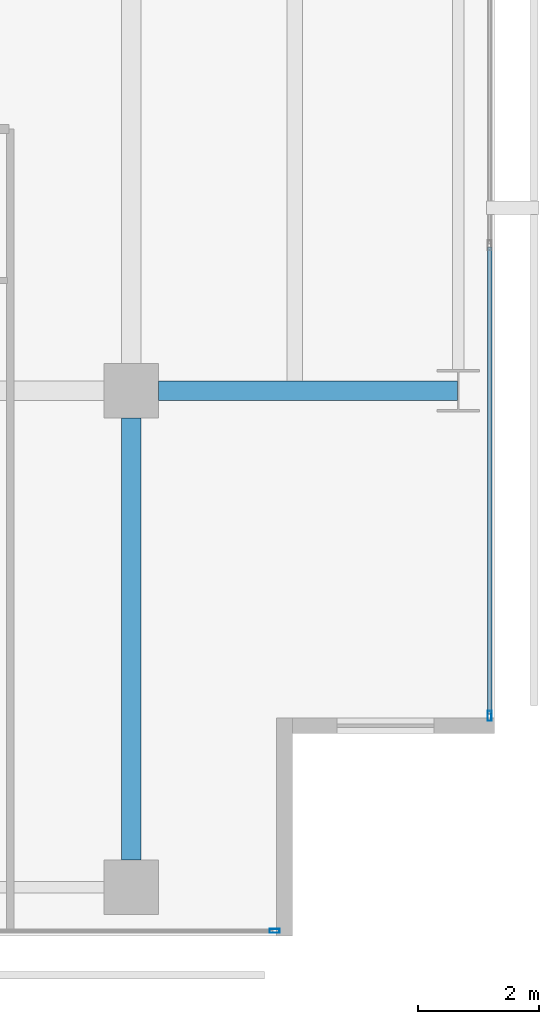
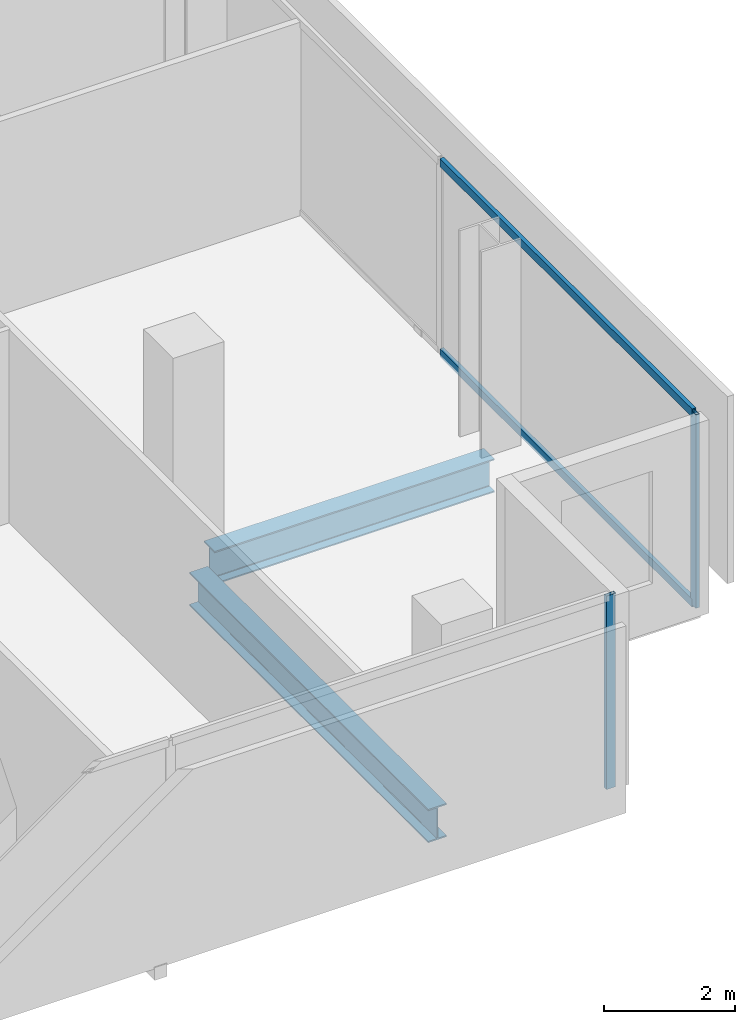
# One storey, part 16 of 40: 4 members, 2 beams, 2 elements without a shape of their own.
"""IFC4 building model written with IfcOpenShell, lengths in metres."""

import ifcopenshell
import ifcopenshell.guid

model = None  # the IFC model being written
_history = None  # IfcOwnerHistory: only IFC2X3 demands one
_inside = {}  # id of a spatial element -> (the spatial element, [elements in it])
_under = {}  # id of a project, library or spatial element -> (it, [spatial elements below it])
_declared = {}  # id of a project -> (the project, [libraries it declares])
_typed = {}  # id of a type object -> (the type object, [elements of that type])
_made_of = {}  # id of a material, layer set ... -> (it, [elements and type objects made of it])


def new_model(schema):
    """Start an empty IFC model of exactly this schema.

    Asked for "IFC4X3", IfcOpenShell would pick the latest addendum, in which some entities
    have other attributes; the version numbers below select the first issue.
    IFC2X3 requires an IfcOwnerHistory on every rooted entity: one is made here for all.
    """
    global model, _history
    if schema == "IFC4X3":
        model = ifcopenshell.file(schema_version=(4, 3, 0, 0))
    else:
        model = ifcopenshell.file(schema=schema)
    _inside.clear()
    _under.clear()
    _declared.clear()
    _typed.clear()
    _made_of.clear()
    _history = None
    if model.schema == "IFC2X3":
        org = make("IfcOrganization", Name="unknown")
        user = make(
            "IfcPersonAndOrganization",
            ThePerson=make("IfcPerson", FamilyName="unknown"),
            TheOrganization=org,
        )
        app = make(
            "IfcApplication",
            ApplicationDeveloper=org,
            Version="unknown",
            ApplicationFullName="unknown",
            ApplicationIdentifier="unknown",
        )
        _history = make(
            "IfcOwnerHistory",
            OwningUser=user,
            OwningApplication=app,
            ChangeAction="ADDED",
            CreationDate=0,
        )
    return model


def make(cls, **values):
    """One entity of the class cls with the attributes given. An attribute that is None is left unset."""
    return model.create_entity(
        cls, **{name: value for name, value in values.items() if value is not None}
    )


def rooted(cls, **values):
    """An entity with a GlobalId (a new one), such as an element, a storey or a relation."""
    return make(cls, GlobalId=ifcopenshell.guid.new(), OwnerHistory=_history, **values)


def si_unit(unit_type, name, prefix=None):
    """IfcSIUnit, for example si_unit("LENGTHUNIT", "METRE", prefix="MILLI")."""
    return make("IfcSIUnit", UnitType=unit_type, Prefix=prefix, Name=name)


def assignment(units):
    """IfcUnitAssignment: the units of a project."""
    return None if units is None else make("IfcUnitAssignment", Units=units)


def point(xyz):
    """IfcCartesianPoint."""
    return None if xyz is None else make("IfcCartesianPoint", Coordinates=xyz)


def direction(xyz):
    """IfcDirection."""
    return None if xyz is None else make("IfcDirection", DirectionRatios=xyz)


def frame(location, z_axis=None, x_axis=None):
    """IfcAxis2Placement3D, a coordinate frame: its origin and axes. An axis left out is left unset."""
    return make(
        "IfcAxis2Placement3D",
        Location=point(location),
        Axis=direction(z_axis),
        RefDirection=direction(x_axis),
    )


def frame_2d(location, x_axis=None):
    """IfcAxis2Placement2D, a coordinate frame in the plane: its origin and x axis."""
    return make(
        "IfcAxis2Placement2D", Location=point(location), RefDirection=direction(x_axis)
    )


def origin():
    """The frame at (0, 0, 0) with its axes left unset."""
    return frame((0.0, 0.0, 0.0))


def origin_2d():
    """The frame at (0, 0) in the plane with its x axis left unset."""
    return frame_2d((0.0, 0.0))


def place(relative_to, where):
    """IfcLocalPlacement: puts the frame where relative to a parent placement (None: the world)."""
    return make(
        "IfcLocalPlacement", PlacementRelTo=relative_to, RelativePlacement=where
    )


def context(
    kind, dimensions, precision=None, world=None, true_north=None, identifier=None
):
    """IfcGeometricRepresentationContext, for example the 3D "Model" context."""
    return make(
        "IfcGeometricRepresentationContext",
        ContextIdentifier=identifier,
        ContextType=kind,
        CoordinateSpaceDimension=dimensions,
        Precision=precision,
        WorldCoordinateSystem=world,
        TrueNorth=true_north,
    )


def subcontext(parent, identifier, kind, view, scale=None):
    """IfcGeometricRepresentationSubContext, for example "Body" below "Model"."""
    return make(
        "IfcGeometricRepresentationSubContext",
        ContextIdentifier=identifier,
        ContextType=kind,
        ParentContext=parent,
        TargetScale=scale,
        TargetView=view,
    )


def project(units=None, contexts=None):
    """IfcProject with its units and contexts."""
    return rooted(
        "IfcProject",
        Name="project",
        RepresentationContexts=contexts,
        UnitsInContext=assignment(units),
    )


def spatial(cls, under=None, at=None, **own):
    """A site, building, storey or space (cls), placed at a placement, below another one or the project."""
    s = rooted(cls, ObjectPlacement=at, **own)
    if under is not None:
        _under.setdefault(under.id(), (under, []))[1].append(s)
    return s


def profile(cls, at=None, kind="AREA", **sizes):
    """A parametric profile (cls). Its sizes go by their IFC names, for example OverallWidth=200.0."""
    return make(cls, ProfileType=kind, Position=at, **sizes)


def hollow_rectangle(**sizes):
    """IfcRectangleHollowProfileDef."""
    return profile("IfcRectangleHollowProfileDef", **sizes)


def i_section(**sizes):
    """IfcIShapeProfileDef."""
    return profile("IfcIShapeProfileDef", **sizes)


def extrude(swept, where, along, depth):
    """IfcExtrudedAreaSolid: the profile swept, set in the frame where, extruded along a direction by depth."""
    return make(
        "IfcExtrudedAreaSolid",
        SweptArea=swept,
        Position=where,
        ExtrudedDirection=direction(along),
        Depth=depth,
    )


def shape(context_of_items, identifier, shape_type, items):
    """IfcShapeRepresentation: the items that make up one representation, for example the "Body"."""
    return make(
        "IfcShapeRepresentation",
        ContextOfItems=context_of_items,
        RepresentationIdentifier=identifier,
        RepresentationType=shape_type,
        Items=items,
    )


def material(Name=None, Category=None):
    """IfcMaterial."""
    return make("IfcMaterial", Name=Name, Category=Category)


def layer(
    of_material, thickness, ventilated=None, Name=None, Category=None, Priority=None
):
    """IfcMaterialLayer: one layer of a wall or slab, of a material (None: an air gap)."""
    return make(
        "IfcMaterialLayer",
        Material=of_material,
        LayerThickness=thickness,
        IsVentilated=ventilated,
        Name=Name,
        Category=Category,
        Priority=Priority,
    )


def layer_set(layers, Name=None):
    """IfcMaterialLayerSet."""
    return make("IfcMaterialLayerSet", MaterialLayers=layers, LayerSetName=Name)


def material_profile(
    of_material, cross_section, Name=None, Category=None, Priority=None
):
    """IfcMaterialProfile: a cross section and its material."""
    return make(
        "IfcMaterialProfile",
        Name=Name,
        Material=of_material,
        Profile=cross_section,
        Priority=Priority,
        Category=Category,
    )


def profile_set(profiles, Name=None, composite=None):
    """IfcMaterialProfileSet."""
    return make(
        "IfcMaterialProfileSet",
        Name=Name,
        MaterialProfiles=profiles,
        CompositeProfile=composite,
    )


def made_of(thing, what):
    """Note that an element or type object is made of a material, layer set ...; save() writes the relation."""
    if what is not None:
        _made_of.setdefault(what.id(), (what, []))[1].append(thing)
    return thing


def type_object(cls, material=None, **own):
    """A type object (cls), such as IfcWallType, which elements share."""
    return made_of(rooted(cls, **own), material)


def element(
    cls,
    number,
    at=None,
    inside=None,
    cuts=None,
    type_object=None,
    material=None,
    context=None,
    identifier="Body",
    shape_type=None,
    held_by="IfcProductDefinitionShape",
    body=None,
    shapes=None,
    **own,
):
    """One element of the class cls, such as IfcWall. Its Tag is "e" and its number.

    at: its placement. inside: the storey or other place that contains it. cuts: it is an
    opening in that element (IfcRelVoidsElement). A single representation is given by context,
    identifier, shape_type and body (its items); several are given by shapes. held_by: the class
    of the entity that holds the representations. save() writes the other relations.
    """
    e = rooted(cls, Tag="e%d" % number, ObjectPlacement=at, **own)
    if body is not None:
        shapes = [shape(context, identifier, shape_type, body)]
    if shapes is not None:
        e.Representation = make(held_by, Representations=shapes)
    if inside is not None:
        _inside.setdefault(inside.id(), (inside, []))[1].append(e)
    if cuts is not None:
        rooted(
            "IfcRelVoidsElement", RelatingBuildingElement=cuts, RelatedOpeningElement=e
        )
    if type_object is not None:
        _typed.setdefault(type_object.id(), (type_object, []))[1].append(e)
    return made_of(e, material)


def aggregate(whole, parts):
    """IfcRelAggregates: a whole, such as a stair, and the parts it consists of."""
    return rooted("IfcRelAggregates", RelatingObject=whole, RelatedObjects=parts)


def save(model, path):
    """Write the relations noted so far, then the file.

    IfcRelAggregates (storeys below a building ...), IfcRelContainedInSpatialStructure (elements
    in a storey), IfcRelDefinesByType, IfcRelAssociatesMaterial and IfcRelDeclares: one each for
    every whole, place, type object, material and project.
    """
    for whole, parts in _under.values():
        aggregate(whole, parts)
    for where, things in _inside.values():
        rooted(
            "IfcRelContainedInSpatialStructure",
            RelatedElements=things,
            RelatingStructure=where,
        )
    for kind, things in _typed.values():
        rooted("IfcRelDefinesByType", RelatedObjects=things, RelatingType=kind)
    for what, things in _made_of.values():
        rooted("IfcRelAssociatesMaterial", RelatedObjects=things, RelatingMaterial=what)
    for by, libraries in _declared.values():
        rooted("IfcRelDeclares", RelatingContext=by, RelatedDefinitions=libraries)
    model.write(path)


model = new_model("IFC4")

# Units and contexts
model_context = context("Model", 3, precision=1e-05, world=origin(), true_north=direction((0.0, 1.0)))
body_context = subcontext(model_context, "Body", "Model", "MODEL_VIEW")
ifc_project = project(units=[si_unit("LENGTHUNIT", "METRE"), si_unit("AREAUNIT", "SQUARE_METRE"), si_unit("VOLUMEUNIT", "CUBIC_METRE"), si_unit("PLANEANGLEUNIT", "RADIAN"), si_unit("MASSUNIT", "GRAM", prefix="KILO")], contexts=[model_context])

# Site, building, storey
site_placement = place(None, origin())
site = spatial("IfcSite", under=ifc_project, at=site_placement, CompositionType="ELEMENT")
building_placement = place(site_placement, origin())
building = spatial("IfcBuilding", under=site, at=building_placement, Name="Maruvema Waterfront Hotel and Observation Tower", CompositionType="ELEMENT")
storey_placement = place(building_placement, frame((0.0, 0.0, 53.89990234375)))
storey = spatial("IfcBuildingStorey", under=building, at=storey_placement, Name="L12", CompositionType="ELEMENT", Elevation=53.89990234375)

# Curtain wall, members
ifc_material_1 = material(Name="Anodised bronze aluminium and solar-control low-E IGU", Category="aluminium")
ifc_layer = layer(ifc_material_1, 0.159912109375, Name="Zone 1 Bronze Inner Thermal Curtain Wall System CW-02")
ifc_layer_set = layer_set([ifc_layer], Name="Anodised bronze aluminium and solar-control low-E IGU")
curtain_wall_type = type_object("IfcCurtainWallType", Name="Zone 1 Bronze Inner Thermal Curtain Wall System CW-02", PredefinedType="USERDEFINED", material=ifc_layer_set)
curtain_wall_1_placement = place(storey_placement, origin())
curtain_wall_1 = element("IfcCurtainWall", 1, at=curtain_wall_1_placement, inside=storey, type_object=curtain_wall_type, Name="L12 Curtain Wall CW-L12-E", ObjectType="UNITISED CURTAIN WALL", PredefinedType="USERDEFINED")
ifc_material_2 = material(Name="Anodised architectural bronze aluminium", Category="aluminium")
ifc_material_profile_1 = material_profile(ifc_material_2, hollow_rectangle(XDim=0.070068359375, YDim=0.14990234375, WallThickness=0.00390625, at=origin_2d()), Name="ALU-T70x150")
ifc_profile_set_1 = profile_set([ifc_material_profile_1], Name="Anodised architectural bronze aluminium")
member_type_1 = type_object("IfcMemberType", Name="Curtain Wall Horizontal Transom ALU-T70x150", PredefinedType="USERDEFINED", material=ifc_profile_set_1)
member_1_placement = place(storey_placement, frame((64.719970703125, 3.659912109375, 0.030029296875), z_axis=(0.0, 1.0, 0.0), x_axis=(-1.0, 0.0, 0.0)))
member_1 = element("IfcMember", 2, at=member_1_placement, type_object=member_type_1, Name="CW-02 transom 1.1", ObjectType="TRANSOM", PredefinedType="USERDEFINED", context=body_context, shape_type="SweptSolid", body=[
    extrude(hollow_rectangle(XDim=0.070068359375, YDim=0.14990234375, WallThickness=0.00390625, at=origin_2d()), origin(), (0.0, 0.0, 1.0), 7.710205078125),
])
member_2_placement = place(storey_placement, frame((64.719970703125, 3.659912109375, 3.580078125), z_axis=(0.0, 1.0, 0.0), x_axis=(-1.0, 0.0, 0.0)))
member_2 = element("IfcMember", 3, at=member_2_placement, type_object=member_type_1, Name="CW-02 transom 1.2", ObjectType="TRANSOM", PredefinedType="USERDEFINED", context=body_context, shape_type="SweptSolid", body=[
    extrude(hollow_rectangle(XDim=0.070068359375, YDim=0.14990234375, WallThickness=0.00390625, at=origin_2d()), origin(), (0.0, 0.0, 1.0), 7.710205078125),
])

# Curtain wall, member
curtain_wall_2_placement = place(storey_placement, origin())
curtain_wall_2 = element("IfcCurtainWall", 4, at=curtain_wall_2_placement, inside=storey, type_object=curtain_wall_type, Name="L12 Curtain Wall CW-L12-S", ObjectType="UNITISED CURTAIN WALL", PredefinedType="USERDEFINED")
ifc_material_3 = material(Name="Anodised architectural bronze aluminium", Category="aluminium")
ifc_material_profile_2 = material_profile(ifc_material_3, hollow_rectangle(XDim=0.06494140625, YDim=0.1650390625, WallThickness=0.00390625, at=origin_2d()), Name="ALU-M65x165")
ifc_profile_set_2 = profile_set([ifc_material_profile_2], Name="Anodised architectural bronze aluminium")
member_type_2 = type_object("IfcMemberType", Name="Curtain Wall Primary Mullion ALU-M65x165", PredefinedType="MULLION", material=ifc_profile_set_2)
member_3_placement = place(storey_placement, frame((61.169921875, 0.080078125, 0.0), z_axis=(0.0, 0.0, 1.0), x_axis=(0.0, 1.0, 0.0)))
member_3 = element("IfcMember", 5, at=member_3_placement, type_object=member_type_2, Name="CW-02 mullion 7", PredefinedType="MULLION", context=body_context, shape_type="SweptSolid", body=[
    extrude(hollow_rectangle(XDim=0.06494140625, YDim=0.1650390625, WallThickness=0.00390625, at=origin_2d()), origin(), (0.0, 0.0, 1.0), 3.610107421875),
])
aggregate(curtain_wall_2, [member_3])

# Member
member_4_placement = place(storey_placement, frame((64.719970703125, 3.6298828125, 0.0), z_axis=(0.0, 0.0, 1.0), x_axis=(-1.0, 0.0, 0.0)))
member_4 = element("IfcMember", 6, at=member_4_placement, type_object=member_type_2, Name="CW-02 mullion 1", PredefinedType="MULLION", context=body_context, shape_type="SweptSolid", body=[
    extrude(hollow_rectangle(XDim=0.06494140625, YDim=0.1650390625, WallThickness=0.00390625, at=origin_2d()), origin(), (0.0, 0.0, 1.0), 3.610107421875),
])

aggregate(curtain_wall_1, [member_4, member_1, member_2])

# Beams
ifc_material_4 = material(Name="Steel ASTM A572 Grade 50", Category="steel")
ifc_material_profile_3 = material_profile(ifc_material_4, i_section(OverallWidth=0.326904296875, OverallDepth=0.6220703125, WebThickness=0.015380859375, FlangeThickness=0.0244140625, FilletRadius=0.01806640625, at=origin_2d()), Name="W610x195.0")
ifc_profile_set_3 = profile_set([ifc_material_profile_3], Name="Steel ASTM A572 Grade 50")
beam_type = type_object("IfcBeamType", Name="Primary Floor Girder W610x195.0", PredefinedType="BEAM", material=ifc_profile_set_3)
beam_1_placement = place(storey_placement, frame((59.25, 9.0, -0.55078125), z_axis=(1.0, 0.0, 0.0), x_axis=(0.0, 1.0, 0.0)))
element("IfcBeam", 7, at=beam_1_placement, inside=storey, type_object=beam_type, Name="L12 Floor Girder EW-12", PredefinedType="BEAM", context=body_context, shape_type="SweptSolid", body=[
    extrude(i_section(OverallWidth=0.326904296875, OverallDepth=0.6220703125, WebThickness=0.015380859375, FlangeThickness=0.0244140625, FilletRadius=0.01806640625, at=origin_2d()), origin(), (0.0, 0.0, 1.0), 4.93603515625),
])
beam_2_placement = place(storey_placement, frame((58.800048828125, 1.25, -0.55078125), z_axis=(0.0, 1.0, 0.0), x_axis=(-1.0, 0.0, 0.0)))
element("IfcBeam", 8, at=beam_2_placement, inside=storey, type_object=beam_type, Name="L12 Floor Girder NS-27", PredefinedType="BEAM", context=body_context, shape_type="SweptSolid", body=[
    extrude(i_section(OverallWidth=0.326904296875, OverallDepth=0.6220703125, WebThickness=0.015380859375, FlangeThickness=0.0244140625, FilletRadius=0.01806640625, at=origin_2d()), origin(), (0.0, 0.0, 1.0), 7.300048828125),
])

save(model, "model.ifc")
